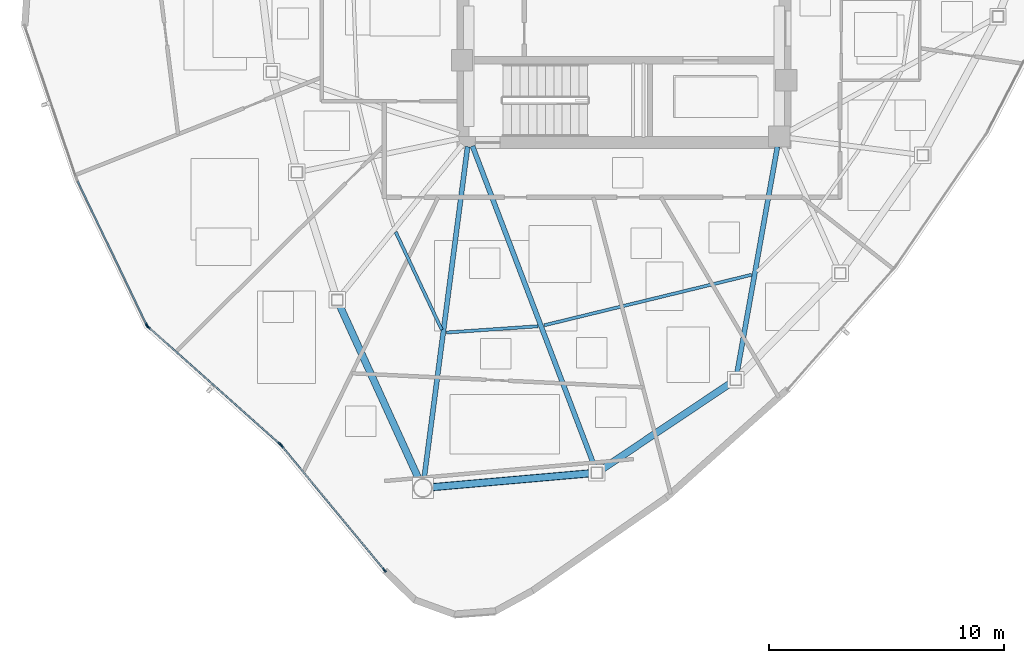
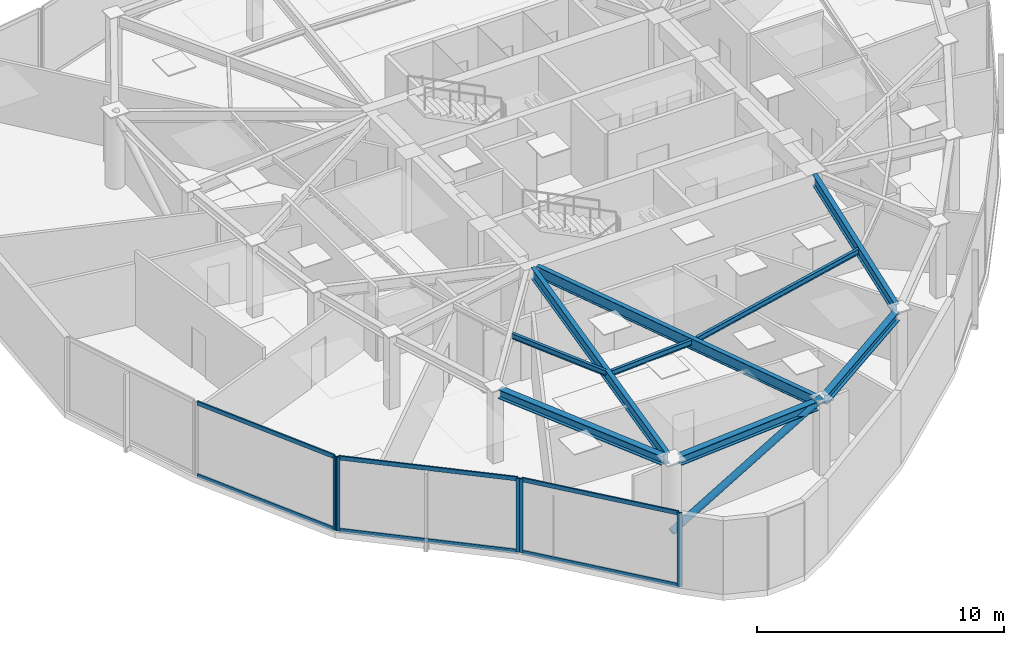
# One storey, part 2 of 13: 12 members, 9 beams, 3 elements without a shape of their own.
"""IFC4 building model written with IfcOpenShell, lengths in metres."""

from ifc_helpers import new_model, si_unit, direction, frame, origin, origin_2d, place, context, subcontext, project, spatial, hollow_rectangle, hollow_circle, i_section, extrude, source, transform, mapped, material, layer, layer_set, material_profile, profile_set, type_object, type_shapes, element, aggregate, save


model = new_model("IFC4")

# Units and contexts
model_context = context("Model", 3, precision=1e-05, world=origin(), true_north=direction((0.0, 1.0)))
body_context = subcontext(model_context, "Body", "Model", "MODEL_VIEW")
ifc_project = project(units=[si_unit("LENGTHUNIT", "METRE"), si_unit("AREAUNIT", "SQUARE_METRE"), si_unit("VOLUMEUNIT", "CUBIC_METRE"), si_unit("PLANEANGLEUNIT", "RADIAN"), si_unit("MASSUNIT", "GRAM", prefix="KILO")], contexts=[model_context])

# Site, building, storey
site_placement = place(None, origin())
site = spatial("IfcSite", under=ifc_project, at=site_placement, CompositionType="ELEMENT")
building_placement = place(site_placement, origin())
building = spatial("IfcBuilding", under=site, at=building_placement, Name="Tavelor Broadcast Tower", CompositionType="ELEMENT")
storey_placement = place(building_placement, frame((0.0, 0.0, 261.64990234375)))
storey = spatial("IfcBuildingStorey", under=building, at=storey_placement, Name="L62", CompositionType="ELEMENT", Elevation=261.64990234375)

# Beams
ifc_material_1 = material(Name="Steel S355", Category="steel")
ifc_material_profile_1 = material_profile(ifc_material_1, i_section(OverallWidth=0.135009765625, OverallDepth=0.27001953125, WebThickness=0.006591796875, FlangeThickness=0.01025390625, at=origin_2d()), Name="IPE 270")
ifc_profile_set_1 = profile_set([ifc_material_profile_1], Name="Steel S355")
beam_type_1 = type_object("IfcBeamType", Name="Composite Floor Joist T6 IPE 270", PredefinedType="JOIST", material=ifc_profile_set_1)
beam_1_placement = place(storey_placement, frame((40.28466796875, 34.7451171875, 3.51513671875), z_axis=(0.426527038786, -0.904474811802, 0.0), x_axis=(0.904474811802, 0.426527038786, 0.0)))
element("IfcBeam", 1, at=beam_1_placement, inside=storey, type_object=beam_type_1, Name="L62 Secondary Composite Floor Joist 06", PredefinedType="JOIST", context=body_context, shape_type="SweptSolid", body=[
    extrude(i_section(OverallWidth=0.135009765625, OverallDepth=0.27001953125, WebThickness=0.006591796875, FlangeThickness=0.01025390625, at=origin_2d()), origin(), (0.0, 0.0, 1.0), 4.60546875),
])
beam_2_placement = place(storey_placement, frame((42.440185546875, 30.46728515625, 3.51513671875), z_axis=(0.997669102567, 0.068237539396, 0.0), x_axis=(-0.068237539396, 0.997669102567, 0.0)))
element("IfcBeam", 2, at=beam_2_placement, inside=storey, type_object=beam_type_1, Name="L62 Secondary Composite Floor Joist 07", PredefinedType="JOIST", context=body_context, shape_type="SweptSolid", body=[
    extrude(i_section(OverallWidth=0.135009765625, OverallDepth=0.27001953125, WebThickness=0.006591796875, FlangeThickness=0.01025390625, at=origin_2d()), origin(), (0.0, 0.0, 1.0), 3.9033203125),
])
beam_3_placement = place(storey_placement, frame((46.598876953125, 30.7744140625, 3.51513671875), z_axis=(0.971610196631, 0.236587459098, 0.0), x_axis=(-0.236587459098, 0.971610196631, 0.0)))
element("IfcBeam", 3, at=beam_3_placement, inside=storey, type_object=beam_type_1, Name="L62 Secondary Composite Floor Joist 08", PredefinedType="JOIST", context=body_context, shape_type="SweptSolid", body=[
    extrude(i_section(OverallWidth=0.135009765625, OverallDepth=0.27001953125, WebThickness=0.006591796875, FlangeThickness=0.01025390625, at=origin_2d()), origin(), (0.0, 0.0, 1.0), 9.0849609375),
])
ifc_material_profile_2 = material_profile(ifc_material_1, i_section(OverallWidth=0.300048828125, OverallDepth=0.449951171875, WebThickness=0.013916015625, FlangeThickness=0.02587890625, at=origin_2d()), Name="HEB 450")
ifc_profile_set_2 = profile_set([ifc_material_profile_2], Name="Steel S355")
beam_type_2 = type_object("IfcBeamType", Name="Perimeter Spandrel Beam T6 HEB 450", PredefinedType="SPANDREL", material=ifc_profile_set_2)
beam_4_placement = place(storey_placement, frame((37.896484375, 31.635009765625, 3.425048828125), z_axis=(0.414463300231, -0.910066026595, 0.0), x_axis=(0.910066026595, 0.414463300231, 0.0)))
element("IfcBeam", 4, at=beam_4_placement, inside=storey, type_object=beam_type_2, Name="L62 Framed-Tube Ring Spandrel 06", PredefinedType="SPANDREL", context=body_context, shape_type="SweptSolid", body=[
    extrude(i_section(OverallWidth=0.300048828125, OverallDepth=0.449951171875, WebThickness=0.013916015625, FlangeThickness=0.02587890625, at=origin_2d()), origin(), (0.0, 0.0, 1.0), 8.16015625),
])
beam_5_placement = place(storey_placement, frame((41.828857421875, 23.887939453125, 3.425048828125), z_axis=(0.996154580768, 0.087613076733, 0.0), x_axis=(-0.087613076733, 0.996154580768, 0.0)))
element("IfcBeam", 5, at=beam_5_placement, inside=storey, type_object=beam_type_2, Name="L62 Framed-Tube Ring Spandrel 07", PredefinedType="SPANDREL", context=body_context, shape_type="SweptSolid", body=[
    extrude(i_section(OverallWidth=0.300048828125, OverallDepth=0.449951171875, WebThickness=0.013916015625, FlangeThickness=0.02587890625, at=origin_2d()), origin(), (0.0, 0.0, 1.0), 6.802001953125),
])
beam_6_placement = place(storey_placement, frame((49.043212890625, 24.638427734375, 3.425048828125), z_axis=(0.83097843332, 0.556304631795, 0.0), x_axis=(-0.556304631795, 0.83097843332, 0.0)))
element("IfcBeam", 6, at=beam_6_placement, inside=storey, type_object=beam_type_2, Name="L62 Framed-Tube Ring Spandrel 08", PredefinedType="SPANDREL", context=body_context, shape_type="SweptSolid", body=[
    extrude(i_section(OverallWidth=0.300048828125, OverallDepth=0.449951171875, WebThickness=0.013916015625, FlangeThickness=0.02587890625, at=origin_2d()), origin(), (0.0, 0.0, 1.0), 6.632568359375),
])

# Member
ifc_material_profile_3 = material_profile(ifc_material_1, hollow_circle(Radius=0.161865234375, WallThickness=0.01611328125, at=origin_2d()), Name="CHS 323.9x16")
ifc_profile_set_3 = profile_set([ifc_material_profile_3], Name="Steel S355")
member_type_1 = type_object("IfcMemberType", Name="Perimeter Tube Brace T6 CHS 323.9x16", PredefinedType="BRACE", material=ifc_profile_set_3)
member_1_placement = place(storey_placement, frame((41.440185546875, 23.853759765625, 0.0), z_axis=(0.894143836839, 0.078634887979, 0.440821226162), x_axis=(-0.087606208465, 0.996155184817, 0.0)))
element("IfcMember", 7, at=member_1_placement, inside=storey, type_object=member_type_1, Name="L62 Corner Tube Diagonal Brace 2", PredefinedType="BRACE", context=body_context, shape_type="SweptSolid", body=[
    extrude(hollow_circle(Radius=0.161865234375, WallThickness=0.01611328125, at=origin_2d()), origin(), (0.0, 0.0, 1.0), 8.2802734375),
])

# Beams
ifc_material_profile_4 = material_profile(ifc_material_1, i_section(OverallWidth=0.2099609375, OverallDepth=0.550048828125, WebThickness=0.010986328125, FlangeThickness=0.01708984375, at=origin_2d()), Name="IPE 550")
ifc_profile_set_4 = profile_set([ifc_material_profile_4], Name="Steel S355")
beam_type_3 = type_object("IfcBeamType", Name="Radial Floor Girder T6 IPE 550", PredefinedType="BEAM", material=ifc_profile_set_4)
beam_7_placement = place(storey_placement, frame((43.34375, 38.37158203125, 3.375), z_axis=(-0.130001183832, -0.991513838634, 0.0), x_axis=(0.991513838634, -0.130001183832, 0.0)))
element("IfcBeam", 8, at=beam_7_placement, inside=storey, type_object=beam_type_3, Name="L62 Radial Primary Floor Girder 07", PredefinedType="BEAM", context=body_context, shape_type="SweptSolid", body=[
    extrude(i_section(OverallWidth=0.2099609375, OverallDepth=0.550048828125, WebThickness=0.010986328125, FlangeThickness=0.01708984375, at=origin_2d()), origin(), (0.0, 0.0, 1.0), 14.251953125),
])
beam_8_placement = place(storey_placement, frame((43.5537109375, 38.396240234375, 3.375), z_axis=(0.355897443136, -0.934525018375, 0.0), x_axis=(0.934525018375, 0.355897443136, 0.0)))
element("IfcBeam", 9, at=beam_8_placement, inside=storey, type_object=beam_type_3, Name="L62 Radial Primary Floor Girder 08", PredefinedType="BEAM", context=body_context, shape_type="SweptSolid", body=[
    extrude(i_section(OverallWidth=0.2099609375, OverallDepth=0.550048828125, WebThickness=0.010986328125, FlangeThickness=0.01708984375, at=origin_2d()), origin(), (0.0, 0.0, 1.0), 14.62451171875),
])
beam_9_placement = place(storey_placement, frame((56.524169921875, 38.374755859375, 3.375), z_axis=(-0.175770007633, -0.984431259366, 0.0), x_axis=(0.984431259366, -0.175770007633, 0.0)))
element("IfcBeam", 10, at=beam_9_placement, inside=storey, type_object=beam_type_3, Name="L62 Radial Primary Floor Girder 09", PredefinedType="BEAM", context=body_context, shape_type="SweptSolid", body=[
    extrude(i_section(OverallWidth=0.2099609375, OverallDepth=0.550048828125, WebThickness=0.010986328125, FlangeThickness=0.01708984375, at=origin_2d()), origin(), (0.0, 0.0, 1.0), 9.829833984375),
])

# Curtain wall, member
ifc_material_2 = material(Name="Architectural Anodized Aluminium", Category="aluminium")
ifc_layer = layer(ifc_material_2, 0.199951171875)
ifc_layer_set = layer_set([ifc_layer], Name="Architectural Anodized Aluminium")
curtain_wall_type = type_object("IfcCurtainWallType", Name="Tower High-Zone Triple-Glazed Curtain Wall CW04", PredefinedType="NOTDEFINED", material=ifc_layer_set)
curtain_wall_1_placement = place(storey_placement, origin())
curtain_wall_1 = element("IfcCurtainWall", 11, at=curtain_wall_1_placement, inside=storey, type_object=curtain_wall_type, Name="L62 Curtain Wall CW04 Run 674", PredefinedType="NOTDEFINED")
ifc_material_profile_5 = material_profile(ifc_material_2, hollow_rectangle(XDim=0.070068359375, YDim=0.199951171875, WallThickness=0.02197265625, at=origin_2d()), Name="RHS 70x200x22")
ifc_profile_set_5 = profile_set([ifc_material_profile_5], Name="Architectural Anodized Aluminium")
member_type_2 = type_object("IfcMemberType", Name="CW04 Extruded Aluminium Mullion 70x200", PredefinedType="MULLION", material=ifc_profile_set_5)
shared_shape_1 = source(origin(), body_context, "Body", "SweptSolid", [
    extrude(hollow_rectangle(XDim=0.070068359375, YDim=0.199951171875, WallThickness=0.02197265625, at=origin_2d()), origin(), (0.0, 0.0, 1.0), 3.650146484375),
])
type_shapes(member_type_2, [shared_shape_1])
member_2_placement = place(storey_placement, frame((29.697998046875, 30.785400390625, 0.0), z_axis=(0.0, 0.0, 1.0), x_axis=(0.901264208021, 0.433269924344, 0.0)))
member_2 = element("IfcMember", 12, at=member_2_placement, type_object=member_type_2, Name="CW04 mullion 2", PredefinedType="MULLION", context=body_context, shape_type="MappedRepresentation", body=[
    mapped(shared_shape_1, transform((0.0, 0.0, 0.0), scale=1.0)),
])

# Curtain wall, members
curtain_wall_2_placement = place(storey_placement, origin())
curtain_wall_2 = element("IfcCurtainWall", 13, at=curtain_wall_2_placement, inside=storey, type_object=curtain_wall_type, Name="L62 Curtain Wall CW04 Run 675", PredefinedType="NOTDEFINED")
member_3_placement = place(storey_placement, frame((29.757080078125, 30.70703125, 0.0), z_axis=(0.0, 0.0, 1.0), x_axis=(0.664408948992, 0.747369218325, 0.0)))
member_3 = element("IfcMember", 14, at=member_3_placement, type_object=member_type_2, Name="CW04 mullion 1", PredefinedType="MULLION", context=body_context, shape_type="MappedRepresentation", body=[
    mapped(shared_shape_1, transform((0.0, 0.0, 0.0), scale=1.0)),
])
member_4_placement = place(storey_placement, frame((35.3603515625, 25.725830078125, 0.0), z_axis=(0.0, 0.0, 1.0), x_axis=(0.664408948992, 0.747369218325, 0.0)))
member_4 = element("IfcMember", 15, at=member_4_placement, type_object=member_type_2, Name="CW04 mullion 2", PredefinedType="MULLION", context=body_context, shape_type="MappedRepresentation", body=[
    mapped(shared_shape_1, transform((0.0, 0.0, 0.0), scale=1.0)),
])

curtain_wall_3_placement = place(storey_placement, origin())
curtain_wall_3 = element("IfcCurtainWall", 16, at=curtain_wall_3_placement, inside=storey, type_object=curtain_wall_type, Name="L62 Curtain Wall CW04 Run 676", PredefinedType="NOTDEFINED")
member_5_placement = place(storey_placement, frame((35.4296875, 25.65380859375, 0.0), z_axis=(0.0, 0.0, 1.0), x_axis=(0.770773085511, 0.637109763425, 0.0)))
member_5 = element("IfcMember", 17, at=member_5_placement, type_object=member_type_2, Name="CW04 mullion 1", PredefinedType="MULLION", context=body_context, shape_type="MappedRepresentation", body=[
    mapped(shared_shape_1, transform((0.0, 0.0, 0.0), scale=1.0)),
])
member_6_placement = place(storey_placement, frame((39.80517578125, 20.360595703125, 0.0), z_axis=(0.0, 0.0, 1.0), x_axis=(0.770773085511, 0.637109763425, 0.0)))
member_6 = element("IfcMember", 18, at=member_6_placement, type_object=member_type_2, Name="CW04 mullion 2", PredefinedType="MULLION", context=body_context, shape_type="MappedRepresentation", body=[
    mapped(shared_shape_1, transform((0.0, 0.0, 0.0), scale=1.0)),
])

# Member
ifc_material_profile_6 = material_profile(ifc_material_2, hollow_rectangle(XDim=0.070068359375, YDim=0.199951171875, WallThickness=0.02197265625, at=origin_2d()), Name="RHS 70x200x22")
ifc_profile_set_6 = profile_set([ifc_material_profile_6], Name="Architectural Anodized Aluminium")
member_type_3 = type_object("IfcMemberType", Name="CW04 Extruded Aluminium Transom 70x200", PredefinedType="USERDEFINED", material=ifc_profile_set_6)
shared_shape_2 = source(origin(), body_context, "Body", "SweptSolid", [
    extrude(hollow_rectangle(XDim=0.070068359375, YDim=0.199951171875, WallThickness=0.02197265625, at=origin_2d()), origin(), (0.0, 0.0, 1.0), 6.742919921875),
])
member_7_placement = place(storey_placement, frame((26.761474609375, 36.89404296875, 0.03515625), z_axis=(0.433255975824, -0.90127091344, 0.0), x_axis=(0.90127091344, 0.433255975824, 0.0)))
member_7 = element("IfcMember", 19, at=member_7_placement, type_object=member_type_3, Name="CW04 transom 1.1", ObjectType="TRANSOM", PredefinedType="USERDEFINED", context=body_context, shape_type="MappedRepresentation", body=[
    mapped(shared_shape_2, transform((0.0, 0.0, 0.0), scale=1.0)),
])

member_8_placement = place(storey_placement, frame((26.761474609375, 36.89404296875, 3.614990234375), z_axis=(0.433255975824, -0.90127091344, 0.0), x_axis=(0.90127091344, 0.433255975824, 0.0)))
member_8 = element("IfcMember", 20, at=member_8_placement, type_object=member_type_3, Name="CW04 transom 1.2", ObjectType="TRANSOM", PredefinedType="USERDEFINED", context=body_context, shape_type="MappedRepresentation", body=[
    mapped(shared_shape_2, transform((0.0, 0.0, 0.0), scale=1.0)),
])

aggregate(curtain_wall_1, [member_2, member_7, member_8])

shared_shape_3 = source(origin(), body_context, "Body", "SweptSolid", [
    extrude(hollow_rectangle(XDim=0.070068359375, YDim=0.199951171875, WallThickness=0.02197265625, at=origin_2d()), origin(), (0.0, 0.0, 1.0), 7.427490234375),
])
member_9_placement = place(storey_placement, frame((29.783203125, 30.683837890625, 0.03515625), z_axis=(0.747371233286, -0.66440668243, 0.0), x_axis=(0.66440668243, 0.747371233286, 0.0)))
member_9 = element("IfcMember", 21, at=member_9_placement, type_object=member_type_3, Name="CW04 transom 1.1", ObjectType="TRANSOM", PredefinedType="USERDEFINED", context=body_context, shape_type="MappedRepresentation", body=[
    mapped(shared_shape_3, transform((0.0, 0.0, 0.0), scale=1.0)),
])

member_10_placement = place(storey_placement, frame((29.783203125, 30.683837890625, 3.614990234375), z_axis=(0.747371233286, -0.66440668243, 0.0), x_axis=(0.66440668243, 0.747371233286, 0.0)))
member_10 = element("IfcMember", 22, at=member_10_placement, type_object=member_type_3, Name="CW04 transom 1.2", ObjectType="TRANSOM", PredefinedType="USERDEFINED", context=body_context, shape_type="MappedRepresentation", body=[
    mapped(shared_shape_3, transform((0.0, 0.0, 0.0), scale=1.0)),
])

aggregate(curtain_wall_2, [member_3, member_4, member_9, member_10])

shared_shape_4 = source(origin(), body_context, "Body", "SweptSolid", [
    extrude(hollow_rectangle(XDim=0.070068359375, YDim=0.199951171875, WallThickness=0.02197265625, at=origin_2d()), origin(), (0.0, 0.0, 1.0), 6.797607421875),
])
type_shapes(member_type_3, [shared_shape_2, shared_shape_3, shared_shape_4])
member_11_placement = place(storey_placement, frame((35.451904296875, 25.626953125, 0.03515625), z_axis=(0.637102320408, -0.77077923774, 0.0), x_axis=(0.77077923774, 0.637102320408, 0.0)))
member_11 = element("IfcMember", 23, at=member_11_placement, type_object=member_type_3, Name="CW04 transom 1.1", ObjectType="TRANSOM", PredefinedType="USERDEFINED", context=body_context, shape_type="MappedRepresentation", body=[
    mapped(shared_shape_4, transform((0.0, 0.0, 0.0), scale=1.0)),
])

member_12_placement = place(storey_placement, frame((35.451904296875, 25.626953125, 3.614990234375), z_axis=(0.637102320408, -0.77077923774, 0.0), x_axis=(0.77077923774, 0.637102320408, 0.0)))
member_12 = element("IfcMember", 24, at=member_12_placement, type_object=member_type_3, Name="CW04 transom 1.2", ObjectType="TRANSOM", PredefinedType="USERDEFINED", context=body_context, shape_type="MappedRepresentation", body=[
    mapped(shared_shape_4, transform((0.0, 0.0, 0.0), scale=1.0)),
])

aggregate(curtain_wall_3, [member_5, member_6, member_11, member_12])

save(model, "model.ifc")
